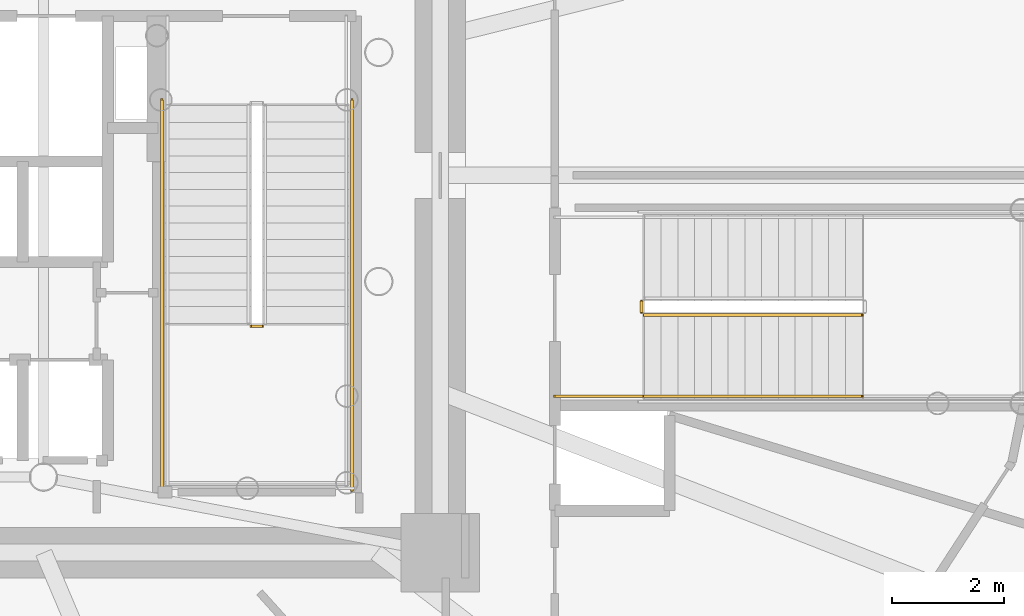
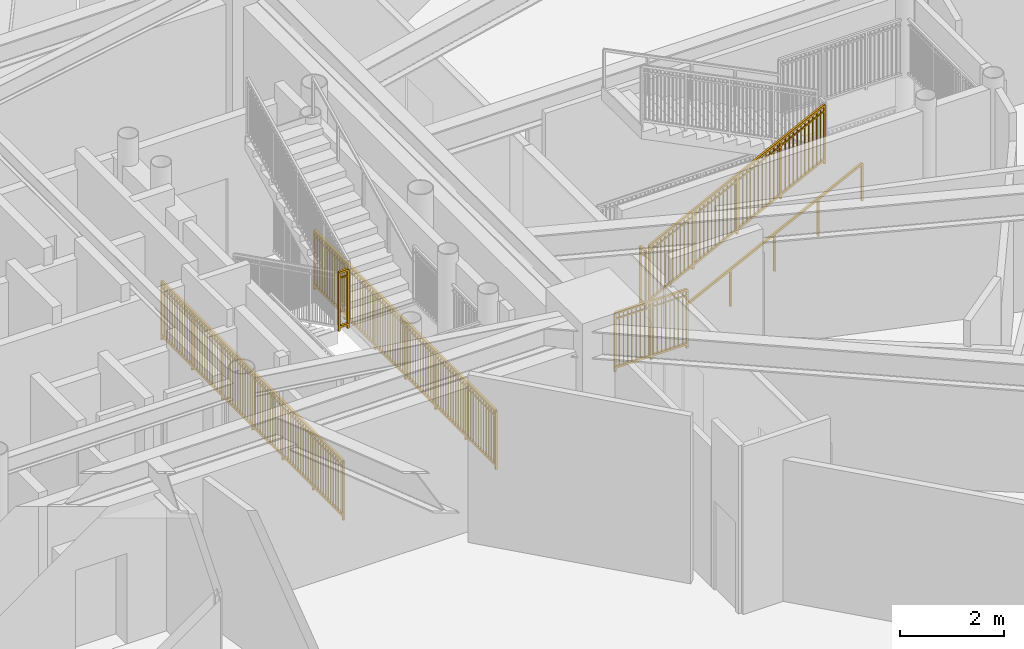
# One storey, part 25 of 29: 7 railings.
"""IFC4 building model written with IfcOpenShell, lengths in metres."""

from ifc_helpers import new_model, si_unit, direction, frame, origin, origin_2d, place, context, subcontext, project, spatial, rectangle, extrude, source, transform, mapped, material, type_object, element, save


model = new_model("IFC4")

# Units and contexts
model_context = context("Model", 3, precision=1e-05, world=origin(), true_north=direction((0.0, 1.0)))
body_context = subcontext(model_context, "Body", "Model", "MODEL_VIEW")
ifc_project = project(units=[si_unit("LENGTHUNIT", "METRE"), si_unit("AREAUNIT", "SQUARE_METRE"), si_unit("VOLUMEUNIT", "CUBIC_METRE"), si_unit("PLANEANGLEUNIT", "RADIAN"), si_unit("MASSUNIT", "GRAM", prefix="KILO")], contexts=[model_context])

# Site, building, storey
site_placement = place(None, origin())
site = spatial("IfcSite", under=ifc_project, at=site_placement, CompositionType="ELEMENT")
building_placement = place(site_placement, origin())
building = spatial("IfcBuilding", under=site, at=building_placement, Name="Linh Dai School and Residence Tower", CompositionType="ELEMENT")
storey_placement = place(building_placement, frame((0.0, 0.0, 45.0)))
storey = spatial("IfcBuildingStorey", under=building, at=storey_placement, Name="L10", CompositionType="ELEMENT", Elevation=45.0)

# Railings
ifc_material_1 = material(Name="Structural Steel S355JR", Category="steel")
railing_type_1 = type_object("IfcRailingType", Name="RL-ST-GUARD-1400", PredefinedType="GUARDRAIL", material=ifc_material_1)
shared_shape_1 = source(origin(), body_context, "Body", "SweptSolid", [
    extrude(rectangle(XDim=0.048095703125, YDim=0.048095703125, at=origin_2d()), frame((0.0, 0.0, 1.3759765625), z_axis=(1.0, 0.0, 0.0), x_axis=(0.0, 1.0, 0.0)), (0.0, 0.0, 1.0), 0.199951171875),
    extrude(rectangle(XDim=0.048095703125, YDim=0.048095703125, at=origin_2d()), frame((0.0, 0.0, 0.10009765625), z_axis=(1.0, 0.0, 0.0), x_axis=(0.0, 1.0, 0.0)), (0.0, 0.0, 1.0), 0.199951171875),
    extrude(rectangle(XDim=0.030029296875, YDim=0.030029296875, at=origin_2d()), frame((0.0, 0.0, 1.239990234375), z_axis=(1.0, 0.0, 0.0), x_axis=(0.0, 1.0, 0.0)), (0.0, 0.0, 1.0), 0.199951171875),
    extrude(rectangle(XDim=0.0419921875, YDim=0.0419921875, at=origin_2d()), origin(), (0.0, 0.0, 1.0), 1.3759765625),
    extrude(rectangle(XDim=0.0419921875, YDim=0.0419921875, at=origin_2d()), frame((0.199951171875, 0.0, 0.0)), (0.0, 0.0, 1.0), 1.3759765625),
])
railing_1_placement = place(storey_placement, frame((42.570068359375, 24.300048828125, 2.10009765625)))
element("IfcRailing", 1, at=railing_1_placement, inside=storey, type_object=railing_type_1, Name="L10 ST2 stair guard 2", PredefinedType="GUARDRAIL", context=body_context, shape_type="MappedRepresentation", body=[
    mapped(shared_shape_1, transform((0.0, 0.0, 0.0), x_axis=(1.0, 0.0, 0.0), y_axis=(0.0, 1.0, 0.0), z_axis=(0.0, 0.0, 1.0), scale=1.0)),
])
shared_shape_2 = source(origin(), body_context, "Body", "SweptSolid", [
    extrude(rectangle(XDim=0.048095703125, YDim=0.048095703125, at=origin_2d()), frame((0.0, 0.0, 1.3759765625), z_axis=(0.0, -1.0, 0.0), x_axis=(1.0, 0.0, 0.0)), (0.0, 0.0, 1.0), 7.0),
    extrude(rectangle(XDim=0.048095703125, YDim=0.048095703125, at=origin_2d()), frame((0.0, 0.0, 0.10009765625), z_axis=(0.0, -1.0, 0.0), x_axis=(1.0, 0.0, 0.0)), (0.0, 0.0, 1.0), 7.0),
    extrude(rectangle(XDim=0.030029296875, YDim=0.030029296875, at=origin_2d()), frame((0.0, 0.0, 1.239990234375), z_axis=(0.0, -1.0, 0.0), x_axis=(1.0, 0.0, 0.0)), (0.0, 0.0, 1.0), 7.0),
    extrude(rectangle(XDim=0.02001953125, YDim=0.02001953125, at=origin_2d()), frame((0.0, -0.09716796875, 0.10009765625)), (0.0, 0.0, 1.0), 1.251708984375),
    extrude(rectangle(XDim=0.02001953125, YDim=0.02001953125, at=origin_2d()), frame((0.0, -0.1943359375, 0.10009765625)), (0.0, 0.0, 1.0), 1.251708984375),
    extrude(rectangle(XDim=0.02001953125, YDim=0.02001953125, at=origin_2d()), frame((0.0, -0.291748046875, 0.10009765625)), (0.0, 0.0, 1.0), 1.251708984375),
    extrude(rectangle(XDim=0.02001953125, YDim=0.02001953125, at=origin_2d()), frame((0.0, -0.388916015625, 0.10009765625)), (0.0, 0.0, 1.0), 1.251708984375),
    extrude(rectangle(XDim=0.02001953125, YDim=0.02001953125, at=origin_2d()), frame((0.0, -0.486083984375, 0.10009765625)), (0.0, 0.0, 1.0), 1.251708984375),
    extrude(rectangle(XDim=0.02001953125, YDim=0.02001953125, at=origin_2d()), frame((0.0, -0.583251953125, 0.10009765625)), (0.0, 0.0, 1.0), 1.251708984375),
    extrude(rectangle(XDim=0.02001953125, YDim=0.02001953125, at=origin_2d()), frame((0.0, -0.6806640625, 0.10009765625)), (0.0, 0.0, 1.0), 1.251708984375),
    extrude(rectangle(XDim=0.02001953125, YDim=0.02001953125, at=origin_2d()), frame((0.0, -0.77783203125, 0.10009765625)), (0.0, 0.0, 1.0), 1.251708984375),
    extrude(rectangle(XDim=0.02001953125, YDim=0.02001953125, at=origin_2d()), frame((0.0, -0.875, 0.10009765625)), (0.0, 0.0, 1.0), 1.251708984375),
    extrude(rectangle(XDim=0.02001953125, YDim=0.02001953125, at=origin_2d()), frame((0.0, -0.97216796875, 0.10009765625)), (0.0, 0.0, 1.0), 1.251708984375),
    extrude(rectangle(XDim=0.02001953125, YDim=0.02001953125, at=origin_2d()), frame((0.0, -1.0693359375, 0.10009765625)), (0.0, 0.0, 1.0), 1.251708984375),
    extrude(rectangle(XDim=0.02001953125, YDim=0.02001953125, at=origin_2d()), frame((0.0, -1.263916015625, 0.10009765625)), (0.0, 0.0, 1.0), 1.251708984375),
    extrude(rectangle(XDim=0.02001953125, YDim=0.02001953125, at=origin_2d()), frame((0.0, -1.361083984375, 0.10009765625)), (0.0, 0.0, 1.0), 1.251708984375),
    extrude(rectangle(XDim=0.02001953125, YDim=0.02001953125, at=origin_2d()), frame((0.0, -1.458251953125, 0.10009765625)), (0.0, 0.0, 1.0), 1.251708984375),
    extrude(rectangle(XDim=0.02001953125, YDim=0.02001953125, at=origin_2d()), frame((0.0, -1.5556640625, 0.10009765625)), (0.0, 0.0, 1.0), 1.251708984375),
    extrude(rectangle(XDim=0.02001953125, YDim=0.02001953125, at=origin_2d()), frame((0.0, -1.65283203125, 0.10009765625)), (0.0, 0.0, 1.0), 1.251708984375),
    extrude(rectangle(XDim=0.02001953125, YDim=0.02001953125, at=origin_2d()), frame((0.0, -1.75, 0.10009765625)), (0.0, 0.0, 1.0), 1.251708984375),
    extrude(rectangle(XDim=0.02001953125, YDim=0.02001953125, at=origin_2d()), frame((0.0, -1.84716796875, 0.10009765625)), (0.0, 0.0, 1.0), 1.251708984375),
    extrude(rectangle(XDim=0.02001953125, YDim=0.02001953125, at=origin_2d()), frame((0.0, -1.9443359375, 0.10009765625)), (0.0, 0.0, 1.0), 1.251708984375),
    extrude(rectangle(XDim=0.02001953125, YDim=0.02001953125, at=origin_2d()), frame((0.0, -2.041748046875, 0.10009765625)), (0.0, 0.0, 1.0), 1.251708984375),
    extrude(rectangle(XDim=0.02001953125, YDim=0.02001953125, at=origin_2d()), frame((0.0, -2.138916015625, 0.10009765625)), (0.0, 0.0, 1.0), 1.251708984375),
    extrude(rectangle(XDim=0.02001953125, YDim=0.02001953125, at=origin_2d()), frame((0.0, -2.236083984375, 0.10009765625)), (0.0, 0.0, 1.0), 1.251708984375),
    extrude(rectangle(XDim=0.02001953125, YDim=0.02001953125, at=origin_2d()), frame((0.0, -2.4306640625, 0.10009765625)), (0.0, 0.0, 1.0), 1.251708984375),
    extrude(rectangle(XDim=0.02001953125, YDim=0.02001953125, at=origin_2d()), frame((0.0, -2.52783203125, 0.10009765625)), (0.0, 0.0, 1.0), 1.251708984375),
    extrude(rectangle(XDim=0.02001953125, YDim=0.02001953125, at=origin_2d()), frame((0.0, -2.625, 0.10009765625)), (0.0, 0.0, 1.0), 1.251708984375),
    extrude(rectangle(XDim=0.02001953125, YDim=0.02001953125, at=origin_2d()), frame((0.0, -2.72216796875, 0.10009765625)), (0.0, 0.0, 1.0), 1.251708984375),
    extrude(rectangle(XDim=0.02001953125, YDim=0.02001953125, at=origin_2d()), frame((0.0, -2.8193359375, 0.10009765625)), (0.0, 0.0, 1.0), 1.251708984375),
    extrude(rectangle(XDim=0.02001953125, YDim=0.02001953125, at=origin_2d()), frame((0.0, -2.916748046875, 0.10009765625)), (0.0, 0.0, 1.0), 1.251708984375),
    extrude(rectangle(XDim=0.02001953125, YDim=0.02001953125, at=origin_2d()), frame((0.0, -3.013916015625, 0.10009765625)), (0.0, 0.0, 1.0), 1.251708984375),
    extrude(rectangle(XDim=0.02001953125, YDim=0.02001953125, at=origin_2d()), frame((0.0, -3.111083984375, 0.10009765625)), (0.0, 0.0, 1.0), 1.251708984375),
    extrude(rectangle(XDim=0.02001953125, YDim=0.02001953125, at=origin_2d()), frame((0.0, -3.208251953125, 0.10009765625)), (0.0, 0.0, 1.0), 1.251708984375),
    extrude(rectangle(XDim=0.02001953125, YDim=0.02001953125, at=origin_2d()), frame((0.0, -3.3056640625, 0.10009765625)), (0.0, 0.0, 1.0), 1.251708984375),
    extrude(rectangle(XDim=0.02001953125, YDim=0.02001953125, at=origin_2d()), frame((0.0, -3.40283203125, 0.10009765625)), (0.0, 0.0, 1.0), 1.251708984375),
    extrude(rectangle(XDim=0.02001953125, YDim=0.02001953125, at=origin_2d()), frame((0.0, -3.59716796875, 0.10009765625)), (0.0, 0.0, 1.0), 1.251708984375),
    extrude(rectangle(XDim=0.02001953125, YDim=0.02001953125, at=origin_2d()), frame((0.0, -3.6943359375, 0.10009765625)), (0.0, 0.0, 1.0), 1.251708984375),
    extrude(rectangle(XDim=0.02001953125, YDim=0.02001953125, at=origin_2d()), frame((0.0, -3.791748046875, 0.10009765625)), (0.0, 0.0, 1.0), 1.251708984375),
    extrude(rectangle(XDim=0.02001953125, YDim=0.02001953125, at=origin_2d()), frame((0.0, -3.888916015625, 0.10009765625)), (0.0, 0.0, 1.0), 1.251708984375),
    extrude(rectangle(XDim=0.02001953125, YDim=0.02001953125, at=origin_2d()), frame((0.0, -3.986083984375, 0.10009765625)), (0.0, 0.0, 1.0), 1.251708984375),
    extrude(rectangle(XDim=0.02001953125, YDim=0.02001953125, at=origin_2d()), frame((0.0, -4.083251953125, 0.10009765625)), (0.0, 0.0, 1.0), 1.251708984375),
    extrude(rectangle(XDim=0.02001953125, YDim=0.02001953125, at=origin_2d()), frame((0.0, -4.1806640625, 0.10009765625)), (0.0, 0.0, 1.0), 1.251708984375),
    extrude(rectangle(XDim=0.02001953125, YDim=0.02001953125, at=origin_2d()), frame((0.0, -4.27783203125, 0.10009765625)), (0.0, 0.0, 1.0), 1.251708984375),
    extrude(rectangle(XDim=0.02001953125, YDim=0.02001953125, at=origin_2d()), frame((0.0, -4.375, 0.10009765625)), (0.0, 0.0, 1.0), 1.251708984375),
    extrude(rectangle(XDim=0.02001953125, YDim=0.02001953125, at=origin_2d()), frame((0.0, -4.47216796875, 0.10009765625)), (0.0, 0.0, 1.0), 1.251708984375),
    extrude(rectangle(XDim=0.02001953125, YDim=0.02001953125, at=origin_2d()), frame((0.0, -4.5693359375, 0.10009765625)), (0.0, 0.0, 1.0), 1.251708984375),
    extrude(rectangle(XDim=0.02001953125, YDim=0.02001953125, at=origin_2d()), frame((0.0, -4.763916015625, 0.10009765625)), (0.0, 0.0, 1.0), 1.251708984375),
    extrude(rectangle(XDim=0.02001953125, YDim=0.02001953125, at=origin_2d()), frame((0.0, -4.861083984375, 0.10009765625)), (0.0, 0.0, 1.0), 1.251708984375),
    extrude(rectangle(XDim=0.02001953125, YDim=0.02001953125, at=origin_2d()), frame((0.0, -4.958251953125, 0.10009765625)), (0.0, 0.0, 1.0), 1.251708984375),
    extrude(rectangle(XDim=0.02001953125, YDim=0.02001953125, at=origin_2d()), frame((0.0, -5.0556640625, 0.10009765625)), (0.0, 0.0, 1.0), 1.251708984375),
    extrude(rectangle(XDim=0.02001953125, YDim=0.02001953125, at=origin_2d()), frame((0.0, -5.15283203125, 0.10009765625)), (0.0, 0.0, 1.0), 1.251708984375),
    extrude(rectangle(XDim=0.02001953125, YDim=0.02001953125, at=origin_2d()), frame((0.0, -5.25, 0.10009765625)), (0.0, 0.0, 1.0), 1.251708984375),
    extrude(rectangle(XDim=0.02001953125, YDim=0.02001953125, at=origin_2d()), frame((0.0, -5.34716796875, 0.10009765625)), (0.0, 0.0, 1.0), 1.251708984375),
    extrude(rectangle(XDim=0.02001953125, YDim=0.02001953125, at=origin_2d()), frame((0.0, -5.4443359375, 0.10009765625)), (0.0, 0.0, 1.0), 1.251708984375),
    extrude(rectangle(XDim=0.02001953125, YDim=0.02001953125, at=origin_2d()), frame((0.0, -5.541748046875, 0.10009765625)), (0.0, 0.0, 1.0), 1.251708984375),
    extrude(rectangle(XDim=0.02001953125, YDim=0.02001953125, at=origin_2d()), frame((0.0, -5.638916015625, 0.10009765625)), (0.0, 0.0, 1.0), 1.251708984375),
    extrude(rectangle(XDim=0.02001953125, YDim=0.02001953125, at=origin_2d()), frame((0.0, -5.736083984375, 0.10009765625)), (0.0, 0.0, 1.0), 1.251708984375),
    extrude(rectangle(XDim=0.02001953125, YDim=0.02001953125, at=origin_2d()), frame((0.0, -5.9306640625, 0.10009765625)), (0.0, 0.0, 1.0), 1.251708984375),
    extrude(rectangle(XDim=0.02001953125, YDim=0.02001953125, at=origin_2d()), frame((0.0, -6.02783203125, 0.10009765625)), (0.0, 0.0, 1.0), 1.251708984375),
    extrude(rectangle(XDim=0.02001953125, YDim=0.02001953125, at=origin_2d()), frame((0.0, -6.125, 0.10009765625)), (0.0, 0.0, 1.0), 1.251708984375),
    extrude(rectangle(XDim=0.02001953125, YDim=0.02001953125, at=origin_2d()), frame((0.0, -6.22216796875, 0.10009765625)), (0.0, 0.0, 1.0), 1.251708984375),
    extrude(rectangle(XDim=0.02001953125, YDim=0.02001953125, at=origin_2d()), frame((0.0, -6.3193359375, 0.10009765625)), (0.0, 0.0, 1.0), 1.251708984375),
    extrude(rectangle(XDim=0.02001953125, YDim=0.02001953125, at=origin_2d()), frame((0.0, -6.416748046875, 0.10009765625)), (0.0, 0.0, 1.0), 1.251708984375),
    extrude(rectangle(XDim=0.02001953125, YDim=0.02001953125, at=origin_2d()), frame((0.0, -6.513916015625, 0.10009765625)), (0.0, 0.0, 1.0), 1.251708984375),
    extrude(rectangle(XDim=0.02001953125, YDim=0.02001953125, at=origin_2d()), frame((0.0, -6.611083984375, 0.10009765625)), (0.0, 0.0, 1.0), 1.251708984375),
    extrude(rectangle(XDim=0.02001953125, YDim=0.02001953125, at=origin_2d()), frame((0.0, -6.708251953125, 0.10009765625)), (0.0, 0.0, 1.0), 1.251708984375),
    extrude(rectangle(XDim=0.02001953125, YDim=0.02001953125, at=origin_2d()), frame((0.0, -6.8056640625, 0.10009765625)), (0.0, 0.0, 1.0), 1.251708984375),
    extrude(rectangle(XDim=0.02001953125, YDim=0.02001953125, at=origin_2d()), frame((0.0, -6.90283203125, 0.10009765625)), (0.0, 0.0, 1.0), 1.251708984375),
    extrude(rectangle(XDim=0.0419921875, YDim=0.0419921875, at=origin_2d()), origin(), (0.0, 0.0, 1.0), 1.3759765625),
    extrude(rectangle(XDim=0.0419921875, YDim=0.0419921875, at=origin_2d()), frame((0.0, -1.166748046875, 0.0)), (0.0, 0.0, 1.0), 1.3759765625),
    extrude(rectangle(XDim=0.0419921875, YDim=0.0419921875, at=origin_2d()), frame((0.0, -2.333251953125, 0.0)), (0.0, 0.0, 1.0), 1.3759765625),
    extrude(rectangle(XDim=0.0419921875, YDim=0.0419921875, at=origin_2d()), frame((0.0, -3.5, 0.0)), (0.0, 0.0, 1.0), 1.3759765625),
    extrude(rectangle(XDim=0.0419921875, YDim=0.0419921875, at=origin_2d()), frame((0.0, -4.666748046875, 0.0)), (0.0, 0.0, 1.0), 1.3759765625),
    extrude(rectangle(XDim=0.0419921875, YDim=0.0419921875, at=origin_2d()), frame((0.0, -5.833251953125, 0.0)), (0.0, 0.0, 1.0), 1.3759765625),
    extrude(rectangle(XDim=0.0419921875, YDim=0.0419921875, at=origin_2d()), frame((0.0, -7.0, 0.0)), (0.0, 0.0, 1.0), 1.3759765625),
])
for number, where, name in (
    (2, (40.969970703125, 28.35009765625, 0.0), "L10 ST2 stair guard 10"),
    (3, (44.3701171875, 28.35009765625, 0.0), "L10 ST2 stair guard 11"),
):
    element("IfcRailing", number, at=place(storey_placement, frame(where)), inside=storey, type_object=railing_type_1, Name=name, PredefinedType="GUARDRAIL", context=body_context, shape_type="MappedRepresentation", body=[
        mapped(shared_shape_2, transform((0.0, 0.0, 0.0), x_axis=(1.0, 0.0, 0.0), y_axis=(0.0, 1.0, 0.0), z_axis=(0.0, 0.0, 1.0), scale=1.0)),
    ])
shared_shape_3 = source(origin(), body_context, "Body", "SweptSolid", [
    extrude(rectangle(XDim=0.048095703125, YDim=0.048095703125, at=origin_2d()), frame((0.0, 0.0, 1.3759765625), z_axis=(0.894404793364, 0.0, 0.447258387967), x_axis=(0.0, 1.0, 0.0)), (0.0, 0.0, 1.0), 4.3603515625),
    extrude(rectangle(XDim=0.048095703125, YDim=0.048095703125, at=origin_2d()), frame((0.0, 0.0, 0.10009765625), z_axis=(0.894404793364, 0.0, 0.447258387967), x_axis=(0.0, 1.0, 0.0)), (0.0, 0.0, 1.0), 4.3603515625),
    extrude(rectangle(XDim=0.030029296875, YDim=0.030029296875, at=origin_2d()), frame((0.0, 0.0, 1.239990234375), z_axis=(0.894404793364, 0.0, 0.447258387967), x_axis=(0.0, 1.0, 0.0)), (0.0, 0.0, 1.0), 4.3603515625),
    extrude(rectangle(XDim=0.02001953125, YDim=0.02001953125, at=origin_2d()), frame((0.086669921875, 0.0, 0.1435546875)), (0.0, 0.0, 1.0), 1.251708984375),
    extrude(rectangle(XDim=0.02001953125, YDim=0.02001953125, at=origin_2d()), frame((0.17333984375, 0.0, 0.186767578125)), (0.0, 0.0, 1.0), 1.251708984375),
    extrude(rectangle(XDim=0.02001953125, YDim=0.02001953125, at=origin_2d()), frame((0.260009765625, 0.0, 0.230224609375)), (0.0, 0.0, 1.0), 1.251708984375),
    extrude(rectangle(XDim=0.02001953125, YDim=0.02001953125, at=origin_2d()), frame((0.3466796875, 0.0, 0.2734375)), (0.0, 0.0, 1.0), 1.251708984375),
    extrude(rectangle(XDim=0.02001953125, YDim=0.02001953125, at=origin_2d()), frame((0.433349609375, 0.0, 0.31689453125)), (0.0, 0.0, 1.0), 1.251708984375),
    extrude(rectangle(XDim=0.02001953125, YDim=0.02001953125, at=origin_2d()), frame((0.52001953125, 0.0, 0.360107421875)), (0.0, 0.0, 1.0), 1.251708984375),
    extrude(rectangle(XDim=0.02001953125, YDim=0.02001953125, at=origin_2d()), frame((0.606689453125, 0.0, 0.403564453125)), (0.0, 0.0, 1.0), 1.251708984375),
    extrude(rectangle(XDim=0.02001953125, YDim=0.02001953125, at=origin_2d()), frame((0.693359375, 0.0, 0.44677734375)), (0.0, 0.0, 1.0), 1.251708984375),
    extrude(rectangle(XDim=0.02001953125, YDim=0.02001953125, at=origin_2d()), frame((0.780029296875, 0.0, 0.490234375)), (0.0, 0.0, 1.0), 1.251708984375),
    extrude(rectangle(XDim=0.02001953125, YDim=0.02001953125, at=origin_2d()), frame((0.86669921875, 0.0, 0.533447265625)), (0.0, 0.0, 1.0), 1.251708984375),
    extrude(rectangle(XDim=0.02001953125, YDim=0.02001953125, at=origin_2d()), frame((1.0400390625, 0.0, 0.6201171875)), (0.0, 0.0, 1.0), 1.251708984375),
    extrude(rectangle(XDim=0.02001953125, YDim=0.02001953125, at=origin_2d()), frame((1.126708984375, 0.0, 0.66357421875)), (0.0, 0.0, 1.0), 1.251708984375),
    extrude(rectangle(XDim=0.02001953125, YDim=0.02001953125, at=origin_2d()), frame((1.21337890625, 0.0, 0.706787109375)), (0.0, 0.0, 1.0), 1.251708984375),
    extrude(rectangle(XDim=0.02001953125, YDim=0.02001953125, at=origin_2d()), frame((1.300048828125, 0.0, 0.750244140625)), (0.0, 0.0, 1.0), 1.251708984375),
    extrude(rectangle(XDim=0.02001953125, YDim=0.02001953125, at=origin_2d()), frame((1.38671875, 0.0, 0.79345703125)), (0.0, 0.0, 1.0), 1.251708984375),
    extrude(rectangle(XDim=0.02001953125, YDim=0.02001953125, at=origin_2d()), frame((1.473388671875, 0.0, 0.8369140625)), (0.0, 0.0, 1.0), 1.251708984375),
    extrude(rectangle(XDim=0.02001953125, YDim=0.02001953125, at=origin_2d()), frame((1.56005859375, 0.0, 0.880126953125)), (0.0, 0.0, 1.0), 1.251708984375),
    extrude(rectangle(XDim=0.02001953125, YDim=0.02001953125, at=origin_2d()), frame((1.646728515625, 0.0, 0.923583984375)), (0.0, 0.0, 1.0), 1.251708984375),
    extrude(rectangle(XDim=0.02001953125, YDim=0.02001953125, at=origin_2d()), frame((1.7333984375, 0.0, 0.966796875)), (0.0, 0.0, 1.0), 1.251708984375),
    extrude(rectangle(XDim=0.02001953125, YDim=0.02001953125, at=origin_2d()), frame((1.820068359375, 0.0, 1.01025390625)), (0.0, 0.0, 1.0), 1.251708984375),
    extrude(rectangle(XDim=0.02001953125, YDim=0.02001953125, at=origin_2d()), frame((1.90673828125, 0.0, 1.053466796875)), (0.0, 0.0, 1.0), 1.251708984375),
    extrude(rectangle(XDim=0.02001953125, YDim=0.02001953125, at=origin_2d()), frame((1.9931640625, 0.0, 1.096923828125)), (0.0, 0.0, 1.0), 1.251708984375),
    extrude(rectangle(XDim=0.02001953125, YDim=0.02001953125, at=origin_2d()), frame((2.079833984375, 0.0, 1.14013671875)), (0.0, 0.0, 1.0), 1.251708984375),
    extrude(rectangle(XDim=0.02001953125, YDim=0.02001953125, at=origin_2d()), frame((2.16650390625, 0.0, 1.18359375)), (0.0, 0.0, 1.0), 1.251708984375),
    extrude(rectangle(XDim=0.02001953125, YDim=0.02001953125, at=origin_2d()), frame((2.253173828125, 0.0, 1.226806640625)), (0.0, 0.0, 1.0), 1.251708984375),
    extrude(rectangle(XDim=0.02001953125, YDim=0.02001953125, at=origin_2d()), frame((2.33984375, 0.0, 1.270263671875)), (0.0, 0.0, 1.0), 1.251708984375),
    extrude(rectangle(XDim=0.02001953125, YDim=0.02001953125, at=origin_2d()), frame((2.426513671875, 0.0, 1.3134765625)), (0.0, 0.0, 1.0), 1.251708984375),
    extrude(rectangle(XDim=0.02001953125, YDim=0.02001953125, at=origin_2d()), frame((2.51318359375, 0.0, 1.35693359375)), (0.0, 0.0, 1.0), 1.251708984375),
    extrude(rectangle(XDim=0.02001953125, YDim=0.02001953125, at=origin_2d()), frame((2.599853515625, 0.0, 1.400146484375)), (0.0, 0.0, 1.0), 1.251708984375),
    extrude(rectangle(XDim=0.02001953125, YDim=0.02001953125, at=origin_2d()), frame((2.6865234375, 0.0, 1.443603515625)), (0.0, 0.0, 1.0), 1.251708984375),
    extrude(rectangle(XDim=0.02001953125, YDim=0.02001953125, at=origin_2d()), frame((2.773193359375, 0.0, 1.48681640625)), (0.0, 0.0, 1.0), 1.251708984375),
    extrude(rectangle(XDim=0.02001953125, YDim=0.02001953125, at=origin_2d()), frame((2.85986328125, 0.0, 1.5302734375)), (0.0, 0.0, 1.0), 1.251708984375),
    extrude(rectangle(XDim=0.02001953125, YDim=0.02001953125, at=origin_2d()), frame((3.033203125, 0.0, 1.616943359375)), (0.0, 0.0, 1.0), 1.251708984375),
    extrude(rectangle(XDim=0.02001953125, YDim=0.02001953125, at=origin_2d()), frame((3.119873046875, 0.0, 1.66015625)), (0.0, 0.0, 1.0), 1.251708984375),
    extrude(rectangle(XDim=0.02001953125, YDim=0.02001953125, at=origin_2d()), frame((3.20654296875, 0.0, 1.70361328125)), (0.0, 0.0, 1.0), 1.251708984375),
    extrude(rectangle(XDim=0.02001953125, YDim=0.02001953125, at=origin_2d()), frame((3.293212890625, 0.0, 1.746826171875)), (0.0, 0.0, 1.0), 1.251708984375),
    extrude(rectangle(XDim=0.02001953125, YDim=0.02001953125, at=origin_2d()), frame((3.3798828125, 0.0, 1.790283203125)), (0.0, 0.0, 1.0), 1.251708984375),
    extrude(rectangle(XDim=0.02001953125, YDim=0.02001953125, at=origin_2d()), frame((3.466552734375, 0.0, 1.83349609375)), (0.0, 0.0, 1.0), 1.251708984375),
    extrude(rectangle(XDim=0.02001953125, YDim=0.02001953125, at=origin_2d()), frame((3.55322265625, 0.0, 1.876953125)), (0.0, 0.0, 1.0), 1.251708984375),
    extrude(rectangle(XDim=0.02001953125, YDim=0.02001953125, at=origin_2d()), frame((3.639892578125, 0.0, 1.920166015625)), (0.0, 0.0, 1.0), 1.251708984375),
    extrude(rectangle(XDim=0.02001953125, YDim=0.02001953125, at=origin_2d()), frame((3.7265625, 0.0, 1.963623046875)), (0.0, 0.0, 1.0), 1.251708984375),
    extrude(rectangle(XDim=0.02001953125, YDim=0.02001953125, at=origin_2d()), frame((3.813232421875, 0.0, 2.0068359375)), (0.0, 0.0, 1.0), 1.251708984375),
    extrude(rectangle(XDim=0.0419921875, YDim=0.0419921875, at=origin_2d()), origin(), (0.0, 0.0, 1.0), 1.3759765625),
    extrude(rectangle(XDim=0.0419921875, YDim=0.0419921875, at=origin_2d()), frame((0.97509765625, 0.0, 0.487548828125)), (0.0, 0.0, 1.0), 1.3759765625),
    extrude(rectangle(XDim=0.0419921875, YDim=0.0419921875, at=origin_2d()), frame((1.949951171875, 0.0, 0.97509765625)), (0.0, 0.0, 1.0), 1.3759765625),
    extrude(rectangle(XDim=0.0419921875, YDim=0.0419921875, at=origin_2d()), frame((2.9248046875, 0.0, 1.462646484375)), (0.0, 0.0, 1.0), 1.3759765625),
    extrude(rectangle(XDim=0.0419921875, YDim=0.0419921875, at=origin_2d()), frame((3.89990234375, 0.0, 1.9501953125)), (0.0, 0.0, 1.0), 1.3759765625),
])
railing_2_placement = place(storey_placement, frame((49.60009765625, 24.5, 0.14990234375)))
element("IfcRailing", 4, at=railing_2_placement, inside=storey, type_object=railing_type_1, Name="L10 STS2 stair guard 1", PredefinedType="GUARDRAIL", context=body_context, shape_type="MappedRepresentation", body=[
    mapped(shared_shape_3, transform((0.0, 0.0, 0.0), x_axis=(1.0, 0.0, 0.0), y_axis=(0.0, 1.0, 0.0), z_axis=(0.0, 0.0, 1.0), scale=1.0)),
])
ifc_material_2 = material(Name="Brushed Stainless Steel Handrail", Category="steel")
railing_type_2 = type_object("IfcRailingType", Name="RL-ST-HANDRAIL-900", PredefinedType="HANDRAIL", material=ifc_material_2)
shared_shape_4 = source(origin(), body_context, "Body", "SweptSolid", [
    extrude(rectangle(XDim=0.048095703125, YDim=0.048095703125, at=origin_2d()), frame((0.0, 0.0, 0.8759765625), z_axis=(0.894404793364, 0.0, 0.447258387967), x_axis=(0.0, 1.0, 0.0)), (0.0, 0.0, 1.0), 4.3603515625),
    extrude(rectangle(XDim=0.0419921875, YDim=0.0419921875, at=origin_2d()), origin(), (0.0, 0.0, 1.0), 0.8759765625),
    extrude(rectangle(XDim=0.0419921875, YDim=0.0419921875, at=origin_2d()), frame((0.97509765625, 0.0, 0.487548828125)), (0.0, 0.0, 1.0), 0.8759765625),
    extrude(rectangle(XDim=0.0419921875, YDim=0.0419921875, at=origin_2d()), frame((1.949951171875, 0.0, 0.97509765625)), (0.0, 0.0, 1.0), 0.8759765625),
    extrude(rectangle(XDim=0.0419921875, YDim=0.0419921875, at=origin_2d()), frame((2.9248046875, 0.0, 1.462646484375)), (0.0, 0.0, 1.0), 0.8759765625),
    extrude(rectangle(XDim=0.0419921875, YDim=0.0419921875, at=origin_2d()), frame((3.89990234375, 0.0, 1.9501953125)), (0.0, 0.0, 1.0), 0.8759765625),
])
railing_3_placement = place(storey_placement, frame((49.60009765625, 23.050048828125, 0.14990234375)))
element("IfcRailing", 5, at=railing_3_placement, inside=storey, type_object=railing_type_2, Name="L10 STS2 stair handrail 1", PredefinedType="HANDRAIL", context=body_context, shape_type="MappedRepresentation", body=[
    mapped(shared_shape_4, transform((0.0, 0.0, 0.0), x_axis=(1.0, 0.0, 0.0), y_axis=(0.0, 1.0, 0.0), z_axis=(0.0, 0.0, 1.0), scale=1.0)),
])
shared_shape_5 = source(origin(), body_context, "Body", "SweptSolid", [
    extrude(rectangle(XDim=0.048095703125, YDim=0.048095703125, at=origin_2d()), frame((0.0, 0.0, 1.3759765625), z_axis=(0.0, 1.0, 0.0), x_axis=(-1.0, 0.0, 0.0)), (0.0, 0.0, 1.0), 0.199951171875),
    extrude(rectangle(XDim=0.048095703125, YDim=0.048095703125, at=origin_2d()), frame((0.0, 0.0, 0.10009765625), z_axis=(0.0, 1.0, 0.0), x_axis=(-1.0, 0.0, 0.0)), (0.0, 0.0, 1.0), 0.199951171875),
    extrude(rectangle(XDim=0.030029296875, YDim=0.030029296875, at=origin_2d()), frame((0.0, 0.0, 1.239990234375), z_axis=(0.0, 1.0, 0.0), x_axis=(-1.0, 0.0, 0.0)), (0.0, 0.0, 1.0), 0.199951171875),
    extrude(rectangle(XDim=0.0419921875, YDim=0.0419921875, at=origin_2d()), origin(), (0.0, 0.0, 1.0), 1.3759765625),
    extrude(rectangle(XDim=0.0419921875, YDim=0.0419921875, at=origin_2d()), frame((0.0, 0.199951171875, 0.0)), (0.0, 0.0, 1.0), 1.3759765625),
])
railing_4_placement = place(storey_placement, frame((49.550048828125, 24.550048828125, 0.0)))
element("IfcRailing", 6, at=railing_4_placement, inside=storey, type_object=railing_type_1, Name="L10 STS2 stair guard 7", PredefinedType="GUARDRAIL", context=body_context, shape_type="MappedRepresentation", body=[
    mapped(shared_shape_5, transform((0.0, 0.0, 0.0), x_axis=(1.0, 0.0, 0.0), y_axis=(0.0, 1.0, 0.0), z_axis=(0.0, 0.0, 1.0), scale=1.0)),
])
shared_shape_6 = source(origin(), body_context, "Body", "SweptSolid", [
    extrude(rectangle(XDim=0.048095703125, YDim=0.048095703125, at=origin_2d()), frame((0.0, 0.0, 1.3759765625), z_axis=(1.0, 0.0, 0.0), x_axis=(0.0, 1.0, 0.0)), (0.0, 0.0, 1.0), 1.60009765625),
    extrude(rectangle(XDim=0.048095703125, YDim=0.048095703125, at=origin_2d()), frame((0.0, 0.0, 0.10009765625), z_axis=(1.0, 0.0, 0.0), x_axis=(0.0, 1.0, 0.0)), (0.0, 0.0, 1.0), 1.60009765625),
    extrude(rectangle(XDim=0.030029296875, YDim=0.030029296875, at=origin_2d()), frame((0.0, 0.0, 1.239990234375), z_axis=(1.0, 0.0, 0.0), x_axis=(0.0, 1.0, 0.0)), (0.0, 0.0, 1.0), 1.60009765625),
    extrude(rectangle(XDim=0.02001953125, YDim=0.02001953125, at=origin_2d()), frame((0.09423828125, 0.0, 0.10009765625)), (0.0, 0.0, 1.0), 1.251708984375),
    extrude(rectangle(XDim=0.02001953125, YDim=0.02001953125, at=origin_2d()), frame((0.188232421875, 0.0, 0.10009765625)), (0.0, 0.0, 1.0), 1.251708984375),
    extrude(rectangle(XDim=0.02001953125, YDim=0.02001953125, at=origin_2d()), frame((0.282470703125, 0.0, 0.10009765625)), (0.0, 0.0, 1.0), 1.251708984375),
    extrude(rectangle(XDim=0.02001953125, YDim=0.02001953125, at=origin_2d()), frame((0.37646484375, 0.0, 0.10009765625)), (0.0, 0.0, 1.0), 1.251708984375),
    extrude(rectangle(XDim=0.02001953125, YDim=0.02001953125, at=origin_2d()), frame((0.470703125, 0.0, 0.10009765625)), (0.0, 0.0, 1.0), 1.251708984375),
    extrude(rectangle(XDim=0.02001953125, YDim=0.02001953125, at=origin_2d()), frame((0.564697265625, 0.0, 0.10009765625)), (0.0, 0.0, 1.0), 1.251708984375),
    extrude(rectangle(XDim=0.02001953125, YDim=0.02001953125, at=origin_2d()), frame((0.658935546875, 0.0, 0.10009765625)), (0.0, 0.0, 1.0), 1.251708984375),
    extrude(rectangle(XDim=0.02001953125, YDim=0.02001953125, at=origin_2d()), frame((0.7529296875, 0.0, 0.10009765625)), (0.0, 0.0, 1.0), 1.251708984375),
    extrude(rectangle(XDim=0.02001953125, YDim=0.02001953125, at=origin_2d()), frame((0.84716796875, 0.0, 0.10009765625)), (0.0, 0.0, 1.0), 1.251708984375),
    extrude(rectangle(XDim=0.02001953125, YDim=0.02001953125, at=origin_2d()), frame((0.941162109375, 0.0, 0.10009765625)), (0.0, 0.0, 1.0), 1.251708984375),
    extrude(rectangle(XDim=0.02001953125, YDim=0.02001953125, at=origin_2d()), frame((1.035400390625, 0.0, 0.10009765625)), (0.0, 0.0, 1.0), 1.251708984375),
    extrude(rectangle(XDim=0.02001953125, YDim=0.02001953125, at=origin_2d()), frame((1.12939453125, 0.0, 0.10009765625)), (0.0, 0.0, 1.0), 1.251708984375),
    extrude(rectangle(XDim=0.02001953125, YDim=0.02001953125, at=origin_2d()), frame((1.2236328125, 0.0, 0.10009765625)), (0.0, 0.0, 1.0), 1.251708984375),
    extrude(rectangle(XDim=0.02001953125, YDim=0.02001953125, at=origin_2d()), frame((1.317626953125, 0.0, 0.10009765625)), (0.0, 0.0, 1.0), 1.251708984375),
    extrude(rectangle(XDim=0.02001953125, YDim=0.02001953125, at=origin_2d()), frame((1.411865234375, 0.0, 0.10009765625)), (0.0, 0.0, 1.0), 1.251708984375),
    extrude(rectangle(XDim=0.02001953125, YDim=0.02001953125, at=origin_2d()), frame((1.505859375, 0.0, 0.10009765625)), (0.0, 0.0, 1.0), 1.251708984375),
    extrude(rectangle(XDim=0.0419921875, YDim=0.0419921875, at=origin_2d()), origin(), (0.0, 0.0, 1.0), 1.3759765625),
    extrude(rectangle(XDim=0.0419921875, YDim=0.0419921875, at=origin_2d()), frame((0.800048828125, 0.0, 0.0)), (0.0, 0.0, 1.0), 1.3759765625),
    extrude(rectangle(XDim=0.0419921875, YDim=0.0419921875, at=origin_2d()), frame((1.60009765625, 0.0, 0.0)), (0.0, 0.0, 1.0), 1.3759765625),
])
railing_5_placement = place(storey_placement, frame((48.0, 23.050048828125, 0.0)))
element("IfcRailing", 7, at=railing_5_placement, inside=storey, type_object=railing_type_1, Name="L10 STS2 stair guard 8", PredefinedType="GUARDRAIL", context=body_context, shape_type="MappedRepresentation", body=[
    mapped(shared_shape_6, transform((0.0, 0.0, 0.0), x_axis=(1.0, 0.0, 0.0), y_axis=(0.0, 1.0, 0.0), z_axis=(0.0, 0.0, 1.0), scale=1.0)),
])

save(model, "model.ifc")
